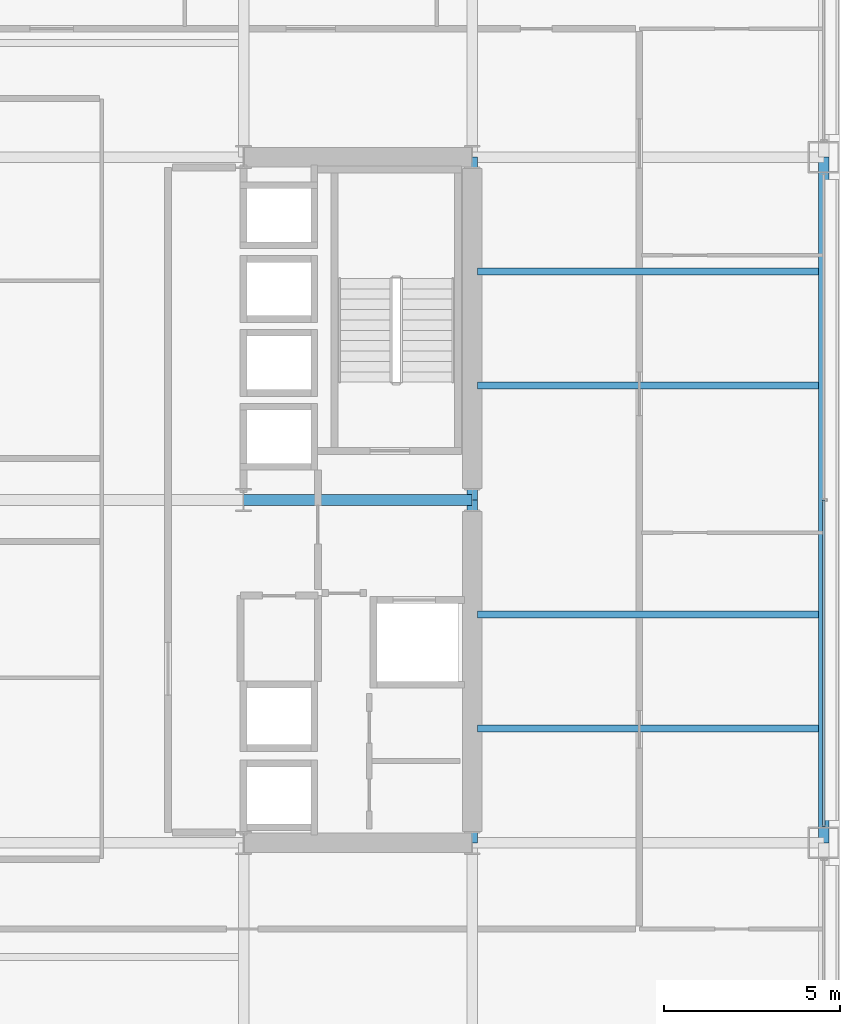
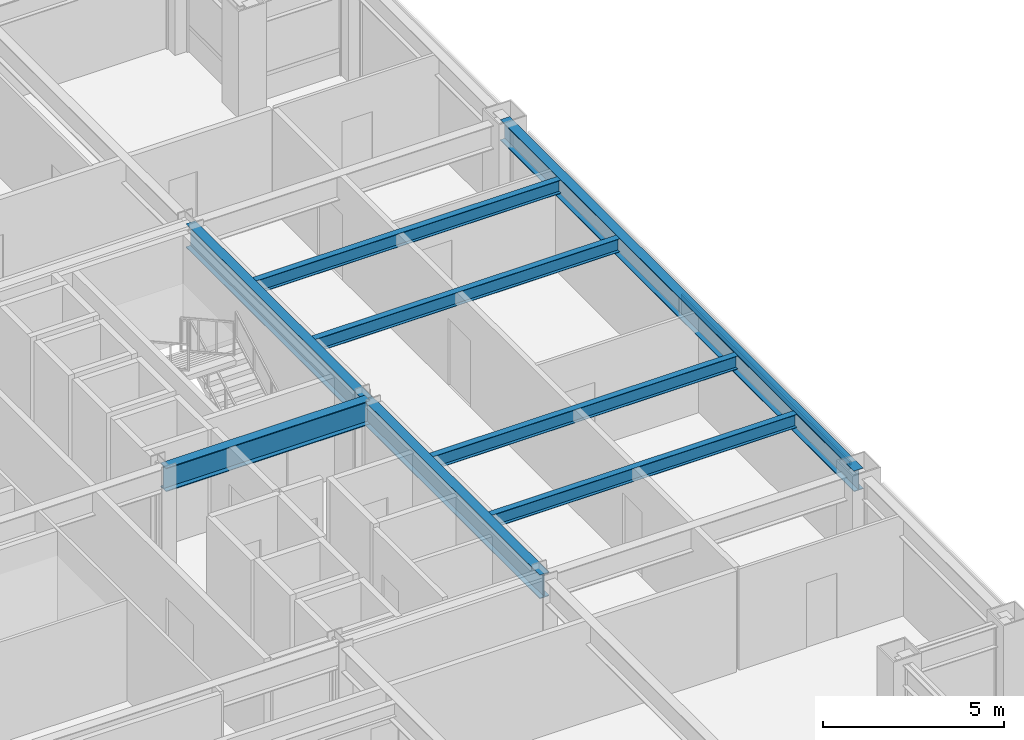
# One storey, part 11 of 28: 8 beams, 1 member, 1 element without a shape of its own.
"""IFC4 building model written with IfcOpenShell, lengths in metres."""

from ifc_helpers import new_model, si_unit, direction, frame, origin, origin_2d, place, context, subcontext, project, spatial, hollow_rectangle, i_section, extrude, material, layer, layer_set, material_profile, profile_set, type_object, element, aggregate, save


model = new_model("IFC4")

# Units and contexts
model_context = context("Model", 3, precision=1e-05, world=origin(), true_north=direction((0.0, 1.0)))
body_context = subcontext(model_context, "Body", "Model", "MODEL_VIEW")
ifc_project = project(units=[si_unit("LENGTHUNIT", "METRE"), si_unit("AREAUNIT", "SQUARE_METRE"), si_unit("VOLUMEUNIT", "CUBIC_METRE"), si_unit("PLANEANGLEUNIT", "RADIAN"), si_unit("MASSUNIT", "GRAM", prefix="KILO")], contexts=[model_context])

# Site, building, storey
site_placement = place(None, origin())
site = spatial("IfcSite", under=ifc_project, at=site_placement, CompositionType="ELEMENT")
building_placement = place(site_placement, origin())
building = spatial("IfcBuilding", under=site, at=building_placement, Name="Brelmoor Portico Tower", CompositionType="ELEMENT")
storey_placement = place(building_placement, frame((0.0, 0.0, 70.800048828125)))
storey = spatial("IfcBuildingStorey", under=building, at=storey_placement, Name="L18", CompositionType="ELEMENT", Elevation=70.800048828125)

# Beams
ifc_material_1 = material(Name="Steel Q355B", Category="steel")
ifc_material_profile_1 = material_profile(ifc_material_1, i_section(OverallWidth=0.199951171875, OverallDepth=0.449951171875, WebThickness=0.009033203125, FlangeThickness=0.013916015625, at=origin_2d()), Name="HN 450x200x9x14")
ifc_profile_set_1 = profile_set([ifc_material_profile_1], Name="Steel Q355B")
beam_type_1 = type_object("IfcBeamType", Name="BM-JS-450", PredefinedType="JOIST", material=ifc_profile_set_1)
for number, where, z_axis, x_axis, name in (
    (1, (14.699951171875, -6.5, 3.175048828125), (1.0, 0.0, 0.0), (0.0, 1.0, 0.0), "L18 Secondary Wing Joist JS-E09"),
    (2, (14.699951171875, -3.25, 3.175048828125), (1.0, 0.0, 0.0), (0.0, 1.0, 0.0), "L18 Secondary Wing Joist JS-E10"),
    (3, (14.699951171875, 3.25, 3.175048828125), (1.0, 0.0, 0.0), (0.0, 1.0, 0.0), "L18 Secondary Wing Joist JS-E11"),
    (4, (14.699951171875, 6.5, 3.175048828125), (1.0, 0.0, 0.0), (0.0, 1.0, 0.0), "L18 Secondary Wing Joist JS-E12"),
):
    element("IfcBeam", number, at=place(storey_placement, frame(where, z_axis=z_axis, x_axis=x_axis)), inside=storey, type_object=beam_type_1, Name=name, PredefinedType="JOIST", context=body_context, shape_type="SweptSolid", body=[
        extrude(i_section(OverallWidth=0.199951171875, OverallDepth=0.449951171875, WebThickness=0.009033203125, FlangeThickness=0.013916015625, at=origin_2d()), origin(), (0.0, 0.0, 1.0), 9.699951171875),
    ])
ifc_material_profile_2 = material_profile(ifc_material_1, i_section(OverallWidth=0.300048828125, OverallDepth=0.800048828125, WebThickness=0.013916015625, FlangeThickness=0.02587890625, at=origin_2d()), Name="HN 800x300x14x26")
ifc_profile_set_2 = profile_set([ifc_material_profile_2], Name="Steel Q355B")
beam_type_2 = type_object("IfcBeamType", Name="BM-PG-800", PredefinedType="BEAM", material=ifc_profile_set_2)
for number, where, z_axis, x_axis, name in (
    (5, (14.550048828125, -9.75, 3.0), (0.0, 1.0, 0.0), (-1.0, 0.0, 0.0), "L18 Primary Floor Girder PG-12"),
    (6, (14.550048828125, 0.0, 3.0), (0.0, 1.0, 0.0), (-1.0, 0.0, 0.0), "L18 Primary Floor Girder PG-13"),
):
    element("IfcBeam", number, at=place(storey_placement, frame(where, z_axis=z_axis, x_axis=x_axis)), inside=storey, type_object=beam_type_2, Name=name, PredefinedType="BEAM", context=body_context, shape_type="SweptSolid", body=[
        extrude(i_section(OverallWidth=0.300048828125, OverallDepth=0.800048828125, WebThickness=0.013916015625, FlangeThickness=0.02587890625, at=origin_2d()), origin(), (0.0, 0.0, 1.0), 9.75),
    ])
beam_1_placement = place(storey_placement, frame((8.050048828125, 0.0, 3.0), z_axis=(1.0, 0.0, 0.0), x_axis=(0.0, 1.0, 0.0)))
element("IfcBeam", 7, at=beam_1_placement, inside=storey, type_object=beam_type_2, Name="L18 Primary Floor Girder PG-26", PredefinedType="BEAM", context=body_context, shape_type="SweptSolid", body=[
    extrude(i_section(OverallWidth=0.300048828125, OverallDepth=0.800048828125, WebThickness=0.013916015625, FlangeThickness=0.02587890625, at=origin_2d()), origin(), (0.0, 0.0, 1.0), 6.5),
])
ifc_material_profile_3 = material_profile(ifc_material_1, i_section(OverallWidth=0.300048828125, OverallDepth=0.699951171875, WebThickness=0.012939453125, FlangeThickness=0.02392578125, at=origin_2d()), Name="HN 700x300x13x24")
ifc_profile_set_3 = profile_set([ifc_material_profile_3], Name="Steel Q355B")
beam_type_3 = type_object("IfcBeamType", Name="BM-SP-700", PredefinedType="SPANDREL", material=ifc_profile_set_3)
beam_2_placement = place(storey_placement, frame((24.550048828125, -9.75, 3.050048828125), z_axis=(0.0, 1.0, 0.0), x_axis=(-1.0, 0.0, 0.0)))
element("IfcBeam", 8, at=beam_2_placement, inside=storey, type_object=beam_type_3, Name="L18 Perimeter Spandrel Beam SP-23", PredefinedType="SPANDREL", context=body_context, shape_type="SweptSolid", body=[
    extrude(i_section(OverallWidth=0.300048828125, OverallDepth=0.699951171875, WebThickness=0.012939453125, FlangeThickness=0.02392578125, at=origin_2d()), origin(), (0.0, 0.0, 1.0), 19.5),
])

# Curtain wall, member
ifc_material_2 = material(Name="Anodised Aluminium Alloy 6063-T6", Category="aluminium")
ifc_layer = layer(ifc_material_2, 0.179931640625)
ifc_layer_set = layer_set([ifc_layer], Name="Anodised Aluminium Alloy 6063-T6")
curtain_wall_type = type_object("IfcCurtainWallType", Name="CW-TOWER-Z1-XB", PredefinedType="NOTDEFINED", material=ifc_layer_set)
curtain_wall_placement = place(storey_placement, origin())
curtain_wall = element("IfcCurtainWall", 9, at=curtain_wall_placement, inside=storey, type_object=curtain_wall_type, Name="L18 Curtain Wall CW-L18-04-2", PredefinedType="NOTDEFINED")
ifc_material_profile_4 = material_profile(ifc_material_2, hollow_rectangle(XDim=0.06494140625, YDim=0.139892578125, WallThickness=0.00390625, at=origin_2d()), Name="ALU TRANSOM 65x140")
ifc_profile_set_4 = profile_set([ifc_material_profile_4], Name="Anodised Aluminium Alloy 6063-T6")
member_type = type_object("IfcMemberType", Name="MB-CW-TRAN-140", PredefinedType="USERDEFINED", material=ifc_profile_set_4)
member_placement = place(storey_placement, frame((24.550048828125, -9.2900390625, 3.329833984375), z_axis=(0.0, 1.0, 0.0), x_axis=(-1.0, 0.0, 0.0)))
member = element("IfcMember", 10, at=member_placement, type_object=member_type, Name="CW-L18-04-2 Transom 1-00", ObjectType="TRANSOM", PredefinedType="USERDEFINED", context=body_context, shape_type="SweptSolid", body=[
    extrude(hollow_rectangle(XDim=0.06494140625, YDim=0.139892578125, WallThickness=0.00390625, at=origin_2d()), origin(), (0.0, 0.0, 1.0), 9.2900390625),
])
aggregate(curtain_wall, [member])

save(model, "model.ifc")
